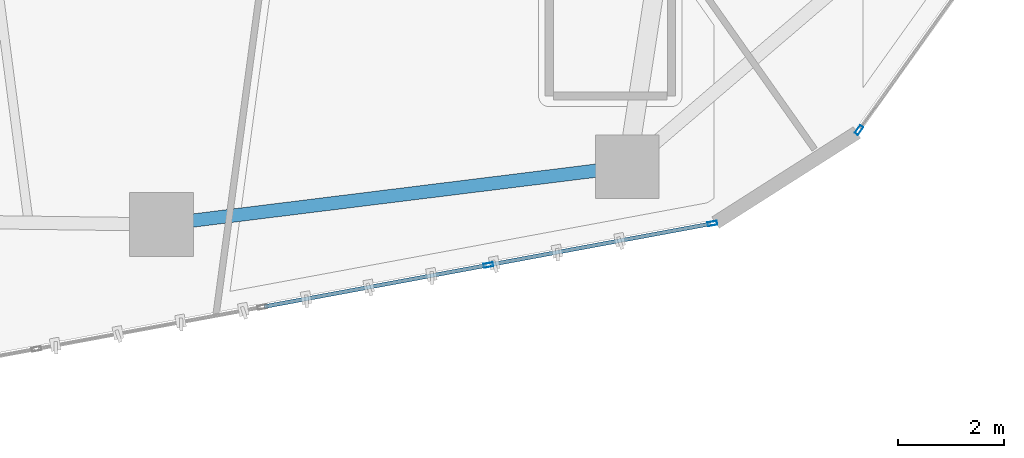
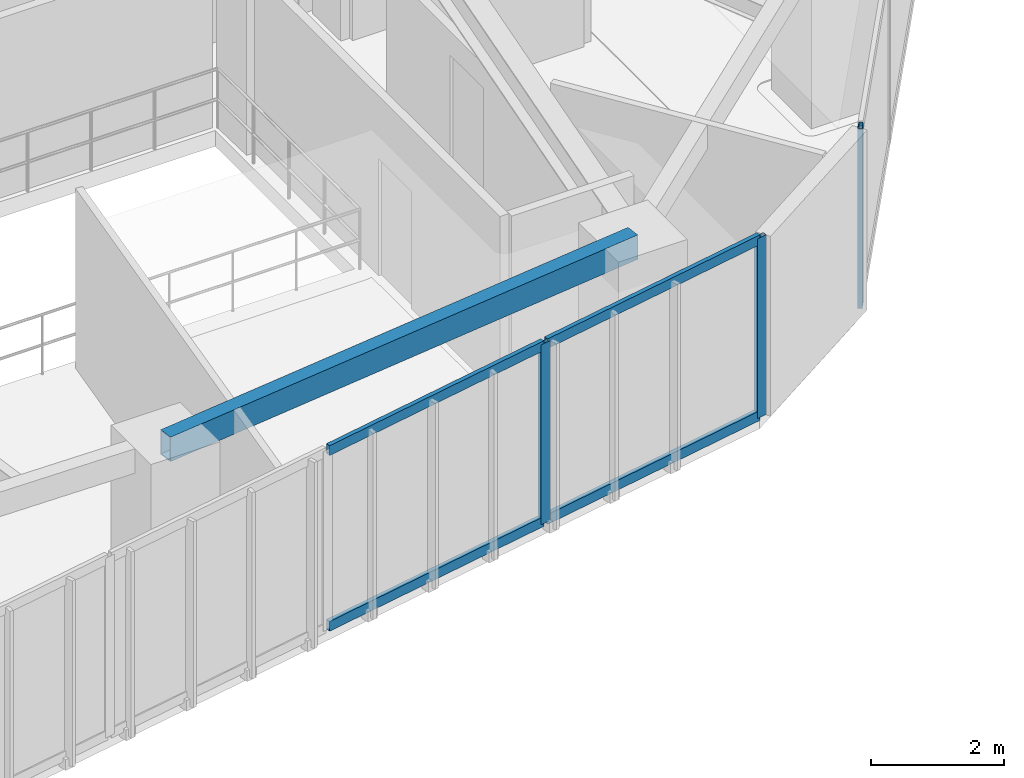
# One storey, part 6 of 22: 7 members, 1 beam, 2 elements without a shape of their own.
"""IFC4 building model written with IfcOpenShell, lengths in metres."""

from ifc_helpers import new_model, si_unit, direction, frame, origin, origin_2d, place, context, subcontext, project, spatial, hollow_rectangle, extrude, source, transform, mapped, material, layer, layer_set, material_profile, profile_set, type_object, type_shapes, element, aggregate, save


model = new_model("IFC4")

# Units and contexts
model_context = context("Model", 3, precision=1e-05, world=origin(), true_north=direction((0.0, 1.0)))
body_context = subcontext(model_context, "Body", "Model", "MODEL_VIEW")
ifc_project = project(units=[si_unit("LENGTHUNIT", "METRE"), si_unit("AREAUNIT", "SQUARE_METRE"), si_unit("VOLUMEUNIT", "CUBIC_METRE"), si_unit("PLANEANGLEUNIT", "RADIAN"), si_unit("MASSUNIT", "GRAM", prefix="KILO")], contexts=[model_context])

# Site, building, storey
site_placement = place(None, origin())
site = spatial("IfcSite", under=ifc_project, at=site_placement, CompositionType="ELEMENT")
building_placement = place(site_placement, origin())
building = spatial("IfcBuilding", under=site, at=building_placement, Name="Talar Marvaseh", CompositionType="ELEMENT")
storey_placement = place(building_placement, frame((0.0, 0.0, 121.800048828125)))
storey = spatial("IfcBuildingStorey", under=building, at=storey_placement, Name="L31", CompositionType="ELEMENT", Elevation=121.800048828125)

# Beam
ifc_material_1 = material(Name="Steel S355", Category="steel")
ifc_material_profile_1 = material_profile(ifc_material_1, hollow_rectangle(XDim=0.25, YDim=0.449951171875, WallThickness=0.01611328125, at=origin_2d()), Name="RHS450x250x16")
ifc_profile_set_1 = profile_set([ifc_material_profile_1], Name="Steel S355")
beam_type = type_object("IfcBeamType", Name="Zone 2 Perimeter Spandrel Beam RHS450x250x16", PredefinedType="SPANDREL", material=ifc_profile_set_1)
beam_placement = place(storey_placement, frame((31.570068359375, 14.26806640625, 3.0849609375), z_axis=(-0.992426007218, -0.122843885468, 0.0), x_axis=(0.122843885468, -0.992426007218, 0.0)))
element("IfcBeam", 1, at=beam_placement, inside=storey, type_object=beam_type, Name="L31 Zone 2 Perimeter Spandrel Beam RHS450x250x16", PredefinedType="SPANDREL", context=body_context, shape_type="SweptSolid", body=[
    extrude(hollow_rectangle(XDim=0.25, YDim=0.449951171875, WallThickness=0.01611328125, at=origin_2d()), origin(), (0.0, 0.0, 1.0), 8.83203125),
])

# Curtain wall, member
ifc_material_2 = material(Name="Architectural Aluminium", Category="aluminium")
ifc_layer = layer(ifc_material_2, 0.199951171875)
ifc_layer_set = layer_set([ifc_layer], Name="Architectural Aluminium")
curtain_wall_type = type_object("IfcCurtainWallType", Name="Unitised Acoustic Library Curtain Wall Z2", PredefinedType="NOTDEFINED", material=ifc_layer_set)
curtain_wall_1_placement = place(storey_placement, origin())
curtain_wall_1 = element("IfcCurtainWall", 2, at=curtain_wall_1_placement, inside=storey, type_object=curtain_wall_type, Name="L31 Unitised Acoustic Library Curtain Wall Z2", PredefinedType="NOTDEFINED")
ifc_material_profile_2 = material_profile(ifc_material_2, hollow_rectangle(XDim=0.074951171875, YDim=0.179931640625, WallThickness=0.0048828125, at=origin_2d()), Name="RHS180x75x5")
ifc_profile_set_2 = profile_set([ifc_material_profile_2], Name="Architectural Aluminium")
member_type_1 = type_object("IfcMemberType", Name="Unitised Curtain Wall Standard Mullion RHS180x75x5", PredefinedType="MULLION", material=ifc_profile_set_2)
shared_shape_1 = source(origin(), body_context, "Body", "SweptSolid", [
    extrude(hollow_rectangle(XDim=0.074951171875, YDim=0.179931640625, WallThickness=0.0048828125, at=origin_2d()), origin(), (0.0, 0.0, 1.0), 3.31005859375),
])
type_shapes(member_type_1, [shared_shape_1])
member_1_placement = place(storey_placement, frame((35.928466796875, 14.958251953125, 0.0), z_axis=(0.0, 0.0, 1.0), x_axis=(0.814025920663, -0.580828546551, 0.0)))
member_1 = element("IfcMember", 3, at=member_1_placement, type_object=member_type_1, Name="CW-Z2 mullion 6", PredefinedType="MULLION", context=body_context, shape_type="MappedRepresentation", body=[
    mapped(shared_shape_1, transform((0.0, 0.0, 0.0), x_axis=(1.0, 0.0, 0.0), y_axis=(0.0, 1.0, 0.0), z_axis=(0.0, 0.0, 1.0), scale=1.0)),
])
aggregate(curtain_wall_1, [member_1])

# Curtain wall, members
curtain_wall_2_placement = place(storey_placement, origin())
curtain_wall_2 = element("IfcCurtainWall", 4, at=curtain_wall_2_placement, inside=storey, type_object=curtain_wall_type, Name="L31 Unitised Acoustic Library Curtain Wall Z2", PredefinedType="NOTDEFINED")
member_2_placement = place(storey_placement, frame((33.170654296875, 13.201416015625, 0.0), z_axis=(0.0, 0.0, 1.0), x_axis=(0.18238841116, -0.983226559586, 0.0)))
member_2 = element("IfcMember", 5, at=member_2_placement, type_object=member_type_1, Name="CW-Z2 mullion 1", PredefinedType="MULLION", context=body_context, shape_type="MappedRepresentation", body=[
    mapped(shared_shape_1, transform((0.0, 0.0, 0.0), x_axis=(1.0, 0.0, 0.0), y_axis=(0.0, 1.0, 0.0), z_axis=(0.0, 0.0, 1.0), scale=1.0)),
])
member_3_placement = place(storey_placement, frame((28.95654296875, 12.419677734375, 0.0), z_axis=(0.0, 0.0, 1.0), x_axis=(0.18238841116, -0.983226559586, 0.0)))
member_3 = element("IfcMember", 6, at=member_3_placement, type_object=member_type_1, Name="CW-Z2 mullion 2", PredefinedType="MULLION", context=body_context, shape_type="MappedRepresentation", body=[
    mapped(shared_shape_1, transform((0.0, 0.0, 0.0), x_axis=(1.0, 0.0, 0.0), y_axis=(0.0, 1.0, 0.0), z_axis=(0.0, 0.0, 1.0), scale=1.0)),
])
ifc_material_profile_3 = material_profile(ifc_material_2, hollow_rectangle(XDim=0.074951171875, YDim=0.179931640625, WallThickness=0.0048828125, at=origin_2d()), Name="RHS180x75x5")
ifc_profile_set_3 = profile_set([ifc_material_profile_3], Name="Architectural Aluminium")
member_type_2 = type_object("IfcMemberType", Name="Unitised Curtain Wall Transom RHS180x75x5", PredefinedType="USERDEFINED", material=ifc_profile_set_3)
shared_shape_2 = source(origin(), body_context, "Body", "SweptSolid", [
    extrude(hollow_rectangle(XDim=0.074951171875, YDim=0.179931640625, WallThickness=0.0048828125, at=origin_2d()), origin(), (0.0, 0.0, 1.0), 4.24853515625),
])
member_4_placement = place(storey_placement, frame((28.919677734375, 12.412841796875, 0.037353515625), z_axis=(-0.983225559844, -0.182393800523, 0.0), x_axis=(0.182393800523, -0.983225559844, 0.0)))
member_4 = element("IfcMember", 7, at=member_4_placement, type_object=member_type_2, Name="CW-Z2 transom 2.1", ObjectType="TRANSOM", PredefinedType="USERDEFINED", context=body_context, shape_type="MappedRepresentation", body=[
    mapped(shared_shape_2, transform((0.0, 0.0, 0.0), x_axis=(1.0, 0.0, 0.0), y_axis=(0.0, 1.0, 0.0), z_axis=(0.0, 0.0, 1.0), scale=1.0)),
])
member_5_placement = place(storey_placement, frame((28.919677734375, 12.412841796875, 3.2724609375), z_axis=(-0.983225559844, -0.182393800523, 0.0), x_axis=(0.182393800523, -0.983225559844, 0.0)))
member_5 = element("IfcMember", 8, at=member_5_placement, type_object=member_type_2, Name="CW-Z2 transom 2.2", ObjectType="TRANSOM", PredefinedType="USERDEFINED", context=body_context, shape_type="MappedRepresentation", body=[
    mapped(shared_shape_2, transform((0.0, 0.0, 0.0), x_axis=(1.0, 0.0, 0.0), y_axis=(0.0, 1.0, 0.0), z_axis=(0.0, 0.0, 1.0), scale=1.0)),
])
shared_shape_3 = source(origin(), body_context, "Body", "SweptSolid", [
    extrude(hollow_rectangle(XDim=0.074951171875, YDim=0.179931640625, WallThickness=0.0048828125, at=origin_2d()), origin(), (0.0, 0.0, 1.0), 4.2109375),
])
type_shapes(member_type_2, [shared_shape_2, shared_shape_3])
member_6_placement = place(storey_placement, frame((33.1337890625, 13.194580078125, 0.037353515625), z_axis=(-0.983225441956, -0.182394436016, 0.0), x_axis=(0.182394436016, -0.983225441956, 0.0)))
member_6 = element("IfcMember", 9, at=member_6_placement, type_object=member_type_2, Name="CW-Z2 transom 1.1", ObjectType="TRANSOM", PredefinedType="USERDEFINED", context=body_context, shape_type="MappedRepresentation", body=[
    mapped(shared_shape_3, transform((0.0, 0.0, 0.0), x_axis=(1.0, 0.0, 0.0), y_axis=(0.0, 1.0, 0.0), z_axis=(0.0, 0.0, 1.0), scale=1.0)),
])
member_7_placement = place(storey_placement, frame((33.1337890625, 13.194580078125, 3.2724609375), z_axis=(-0.983225441956, -0.182394436016, 0.0), x_axis=(0.182394436016, -0.983225441956, 0.0)))
member_7 = element("IfcMember", 10, at=member_7_placement, type_object=member_type_2, Name="CW-Z2 transom 1.2", ObjectType="TRANSOM", PredefinedType="USERDEFINED", context=body_context, shape_type="MappedRepresentation", body=[
    mapped(shared_shape_3, transform((0.0, 0.0, 0.0), x_axis=(1.0, 0.0, 0.0), y_axis=(0.0, 1.0, 0.0), z_axis=(0.0, 0.0, 1.0), scale=1.0)),
])
aggregate(curtain_wall_2, [member_2, member_3, member_6, member_7, member_4, member_5])

save(model, "model.ifc")
